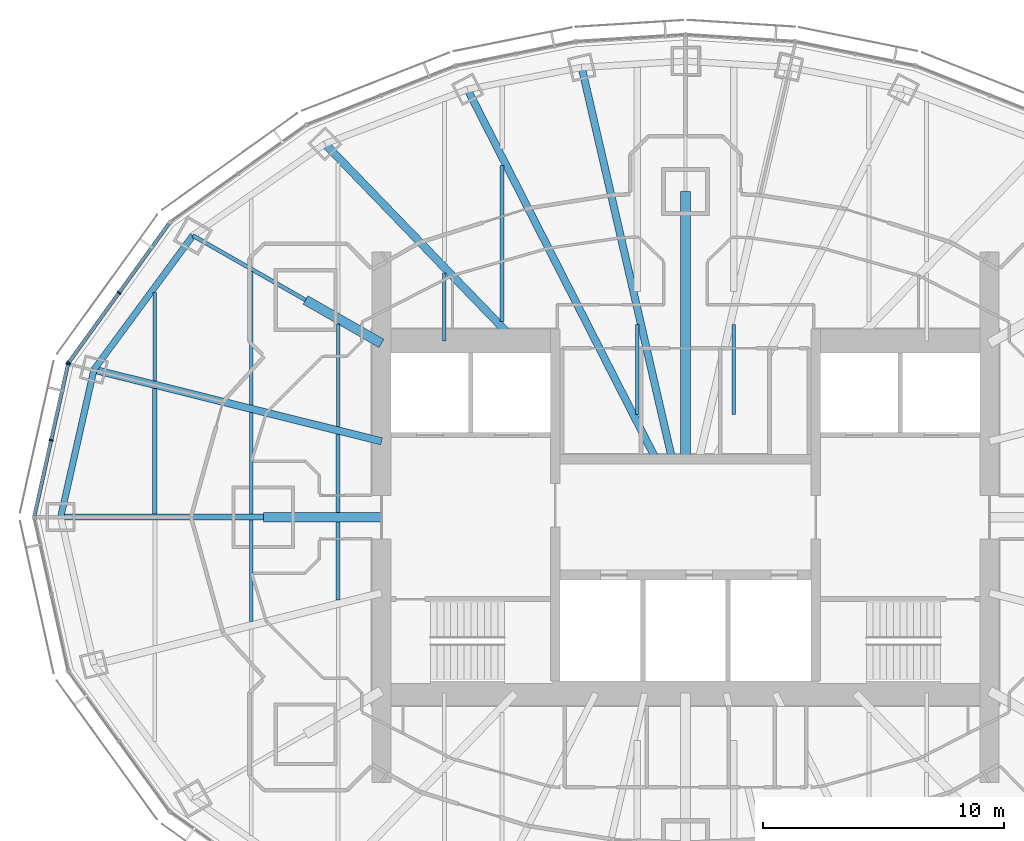
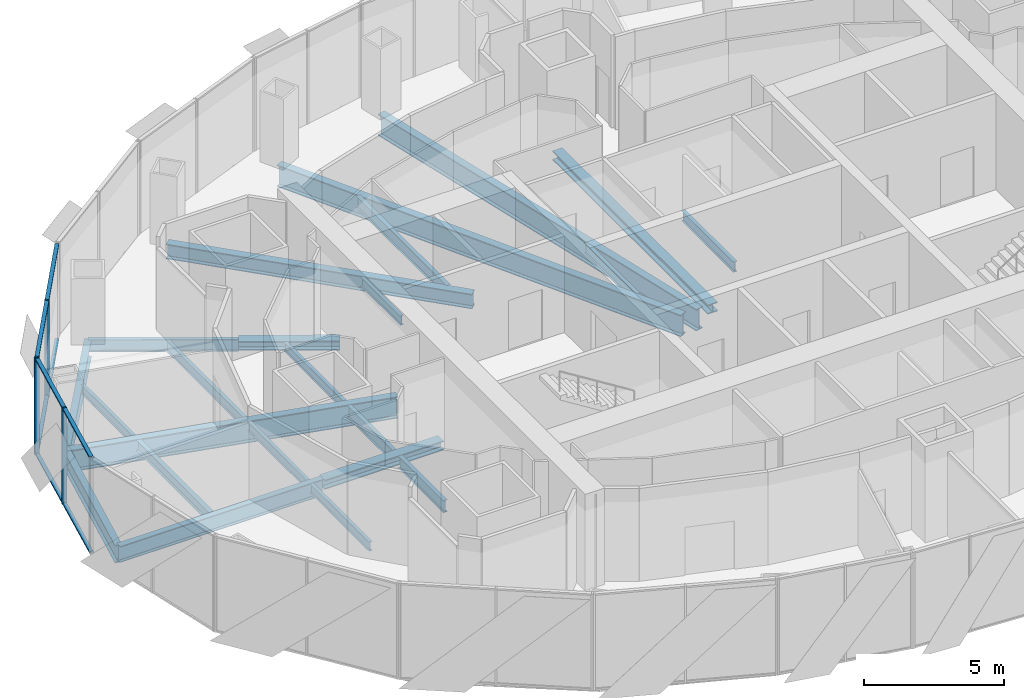
# One storey, part 4 of 18: 23 beams, 12 members, 2 elements without a shape of their own.
"""IFC4 building model written with IfcOpenShell, lengths in metres."""

import ifcopenshell
import ifcopenshell.guid

model = None  # the IFC model being written
_history = None  # IfcOwnerHistory: only IFC2X3 demands one
_inside = {}  # id of a spatial element -> (the spatial element, [elements in it])
_under = {}  # id of a project, library or spatial element -> (it, [spatial elements below it])
_declared = {}  # id of a project -> (the project, [libraries it declares])
_typed = {}  # id of a type object -> (the type object, [elements of that type])
_made_of = {}  # id of a material, layer set ... -> (it, [elements and type objects made of it])


def new_model(schema):
    """Start an empty IFC model of exactly this schema.

    Asked for "IFC4X3", IfcOpenShell would pick the latest addendum, in which some entities
    have other attributes; the version numbers below select the first issue.
    IFC2X3 requires an IfcOwnerHistory on every rooted entity: one is made here for all.
    """
    global model, _history
    if schema == "IFC4X3":
        model = ifcopenshell.file(schema_version=(4, 3, 0, 0))
    else:
        model = ifcopenshell.file(schema=schema)
    _inside.clear()
    _under.clear()
    _declared.clear()
    _typed.clear()
    _made_of.clear()
    _history = None
    if model.schema == "IFC2X3":
        org = make("IfcOrganization", Name="unknown")
        user = make(
            "IfcPersonAndOrganization",
            ThePerson=make("IfcPerson", FamilyName="unknown"),
            TheOrganization=org,
        )
        app = make(
            "IfcApplication",
            ApplicationDeveloper=org,
            Version="unknown",
            ApplicationFullName="unknown",
            ApplicationIdentifier="unknown",
        )
        _history = make(
            "IfcOwnerHistory",
            OwningUser=user,
            OwningApplication=app,
            ChangeAction="ADDED",
            CreationDate=0,
        )
    return model


def make(cls, **values):
    """One entity of the class cls with the attributes given. An attribute that is None is left unset."""
    return model.create_entity(
        cls, **{name: value for name, value in values.items() if value is not None}
    )


def rooted(cls, **values):
    """An entity with a GlobalId (a new one), such as an element, a storey or a relation."""
    return make(cls, GlobalId=ifcopenshell.guid.new(), OwnerHistory=_history, **values)


def si_unit(unit_type, name, prefix=None):
    """IfcSIUnit, for example si_unit("LENGTHUNIT", "METRE", prefix="MILLI")."""
    return make("IfcSIUnit", UnitType=unit_type, Prefix=prefix, Name=name)


def assignment(units):
    """IfcUnitAssignment: the units of a project."""
    return None if units is None else make("IfcUnitAssignment", Units=units)


def point(xyz):
    """IfcCartesianPoint."""
    return None if xyz is None else make("IfcCartesianPoint", Coordinates=xyz)


def direction(xyz):
    """IfcDirection."""
    return None if xyz is None else make("IfcDirection", DirectionRatios=xyz)


def frame(location, z_axis=None, x_axis=None):
    """IfcAxis2Placement3D, a coordinate frame: its origin and axes. An axis left out is left unset."""
    return make(
        "IfcAxis2Placement3D",
        Location=point(location),
        Axis=direction(z_axis),
        RefDirection=direction(x_axis),
    )


def frame_2d(location, x_axis=None):
    """IfcAxis2Placement2D, a coordinate frame in the plane: its origin and x axis."""
    return make(
        "IfcAxis2Placement2D", Location=point(location), RefDirection=direction(x_axis)
    )


def origin():
    """The frame at (0, 0, 0) with its axes left unset."""
    return frame((0.0, 0.0, 0.0))


def origin_2d():
    """The frame at (0, 0) in the plane with its x axis left unset."""
    return frame_2d((0.0, 0.0))


def place(relative_to, where):
    """IfcLocalPlacement: puts the frame where relative to a parent placement (None: the world)."""
    return make(
        "IfcLocalPlacement", PlacementRelTo=relative_to, RelativePlacement=where
    )


def context(
    kind, dimensions, precision=None, world=None, true_north=None, identifier=None
):
    """IfcGeometricRepresentationContext, for example the 3D "Model" context."""
    return make(
        "IfcGeometricRepresentationContext",
        ContextIdentifier=identifier,
        ContextType=kind,
        CoordinateSpaceDimension=dimensions,
        Precision=precision,
        WorldCoordinateSystem=world,
        TrueNorth=true_north,
    )


def subcontext(parent, identifier, kind, view, scale=None):
    """IfcGeometricRepresentationSubContext, for example "Body" below "Model"."""
    return make(
        "IfcGeometricRepresentationSubContext",
        ContextIdentifier=identifier,
        ContextType=kind,
        ParentContext=parent,
        TargetScale=scale,
        TargetView=view,
    )


def project(units=None, contexts=None):
    """IfcProject with its units and contexts."""
    return rooted(
        "IfcProject",
        Name="project",
        RepresentationContexts=contexts,
        UnitsInContext=assignment(units),
    )


def spatial(cls, under=None, at=None, **own):
    """A site, building, storey or space (cls), placed at a placement, below another one or the project."""
    s = rooted(cls, ObjectPlacement=at, **own)
    if under is not None:
        _under.setdefault(under.id(), (under, []))[1].append(s)
    return s


def profile(cls, at=None, kind="AREA", **sizes):
    """A parametric profile (cls). Its sizes go by their IFC names, for example OverallWidth=200.0."""
    return make(cls, ProfileType=kind, Position=at, **sizes)


def rectangle(**sizes):
    """IfcRectangleProfileDef."""
    return profile("IfcRectangleProfileDef", **sizes)


def i_section(**sizes):
    """IfcIShapeProfileDef."""
    return profile("IfcIShapeProfileDef", **sizes)


def extrude(swept, where, along, depth):
    """IfcExtrudedAreaSolid: the profile swept, set in the frame where, extruded along a direction by depth."""
    return make(
        "IfcExtrudedAreaSolid",
        SweptArea=swept,
        Position=where,
        ExtrudedDirection=direction(along),
        Depth=depth,
    )


def shape(context_of_items, identifier, shape_type, items):
    """IfcShapeRepresentation: the items that make up one representation, for example the "Body"."""
    return make(
        "IfcShapeRepresentation",
        ContextOfItems=context_of_items,
        RepresentationIdentifier=identifier,
        RepresentationType=shape_type,
        Items=items,
    )


def material(Name=None, Category=None):
    """IfcMaterial."""
    return make("IfcMaterial", Name=Name, Category=Category)


def material_profile(
    of_material, cross_section, Name=None, Category=None, Priority=None
):
    """IfcMaterialProfile: a cross section and its material."""
    return make(
        "IfcMaterialProfile",
        Name=Name,
        Material=of_material,
        Profile=cross_section,
        Priority=Priority,
        Category=Category,
    )


def profile_set(profiles, Name=None, composite=None):
    """IfcMaterialProfileSet."""
    return make(
        "IfcMaterialProfileSet",
        Name=Name,
        MaterialProfiles=profiles,
        CompositeProfile=composite,
    )


def made_of(thing, what):
    """Note that an element or type object is made of a material, layer set ...; save() writes the relation."""
    if what is not None:
        _made_of.setdefault(what.id(), (what, []))[1].append(thing)
    return thing


def type_object(cls, material=None, **own):
    """A type object (cls), such as IfcWallType, which elements share."""
    return made_of(rooted(cls, **own), material)


def element(
    cls,
    number,
    at=None,
    inside=None,
    cuts=None,
    type_object=None,
    material=None,
    context=None,
    identifier="Body",
    shape_type=None,
    held_by="IfcProductDefinitionShape",
    body=None,
    shapes=None,
    **own,
):
    """One element of the class cls, such as IfcWall. Its Tag is "e" and its number.

    at: its placement. inside: the storey or other place that contains it. cuts: it is an
    opening in that element (IfcRelVoidsElement). A single representation is given by context,
    identifier, shape_type and body (its items); several are given by shapes. held_by: the class
    of the entity that holds the representations. save() writes the other relations.
    """
    e = rooted(cls, Tag="e%d" % number, ObjectPlacement=at, **own)
    if body is not None:
        shapes = [shape(context, identifier, shape_type, body)]
    if shapes is not None:
        e.Representation = make(held_by, Representations=shapes)
    if inside is not None:
        _inside.setdefault(inside.id(), (inside, []))[1].append(e)
    if cuts is not None:
        rooted(
            "IfcRelVoidsElement", RelatingBuildingElement=cuts, RelatedOpeningElement=e
        )
    if type_object is not None:
        _typed.setdefault(type_object.id(), (type_object, []))[1].append(e)
    return made_of(e, material)


def aggregate(whole, parts):
    """IfcRelAggregates: a whole, such as a stair, and the parts it consists of."""
    return rooted("IfcRelAggregates", RelatingObject=whole, RelatedObjects=parts)


def save(model, path):
    """Write the relations noted so far, then the file.

    IfcRelAggregates (storeys below a building ...), IfcRelContainedInSpatialStructure (elements
    in a storey), IfcRelDefinesByType, IfcRelAssociatesMaterial and IfcRelDeclares: one each for
    every whole, place, type object, material and project.
    """
    for whole, parts in _under.values():
        aggregate(whole, parts)
    for where, things in _inside.values():
        rooted(
            "IfcRelContainedInSpatialStructure",
            RelatedElements=things,
            RelatingStructure=where,
        )
    for kind, things in _typed.values():
        rooted("IfcRelDefinesByType", RelatedObjects=things, RelatingType=kind)
    for what, things in _made_of.values():
        rooted("IfcRelAssociatesMaterial", RelatedObjects=things, RelatingMaterial=what)
    for by, libraries in _declared.values():
        rooted("IfcRelDeclares", RelatingContext=by, RelatedDefinitions=libraries)
    model.write(path)


model = new_model("IFC4")

# Units and contexts
model_context = context("Model", 3, precision=1e-05, world=origin(), true_north=direction((0.0, 1.0)))
body_context = subcontext(model_context, "Body", "Model", "MODEL_VIEW")
ifc_project = project(units=[si_unit("LENGTHUNIT", "METRE"), si_unit("AREAUNIT", "SQUARE_METRE"), si_unit("VOLUMEUNIT", "CUBIC_METRE"), si_unit("PLANEANGLEUNIT", "RADIAN"), si_unit("MASSUNIT", "GRAM", prefix="KILO")], contexts=[model_context])

# Site, building, storey
site_placement = place(None, origin())
site = spatial("IfcSite", under=ifc_project, at=site_placement, CompositionType="ELEMENT")
building_placement = place(site_placement, origin())
building = spatial("IfcBuilding", under=site, at=building_placement, Name="Lantaw Convention Tower", CompositionType="ELEMENT")
storey_placement = place(building_placement, frame((0.0, 0.0, 262.0)))
storey = spatial("IfcBuildingStorey", under=building, at=storey_placement, Name="L61", CompositionType="ELEMENT", Elevation=262.0)

# Beams
ifc_material_1 = material(Name="Steel ASTM A992", Category="steel")
ifc_material_profile_1 = material_profile(ifc_material_1, i_section(OverallWidth=0.2666015625, OverallDepth=0.76953125, WebThickness=0.015625, FlangeThickness=0.025390625, FilletRadius=0.0126953125, at=origin_2d()), Name="W30X132")
ifc_profile_set_1 = profile_set([ifc_material_profile_1], Name="Steel ASTM A992")
beam_type_1 = type_object("IfcBeamType", Name="Beam E W30X132", PredefinedType="SPANDREL", material=ifc_profile_set_1)
beam_1_placement = place(storey_placement, frame((-20.423095703125, 11.67041015625, -0.534912109375), z_axis=(-0.593639188853, -0.804731329984, 0.0), x_axis=(0.804731329984, -0.593639188853, 0.0)))
element("IfcBeam", 1, at=beam_1_placement, inside=storey, type_object=beam_type_1, Name="Edge beam 11", PredefinedType="SPANDREL", context=body_context, shape_type="SweptSolid", body=[
    extrude(i_section(OverallWidth=0.2666015625, OverallDepth=0.76953125, WebThickness=0.015625, FlangeThickness=0.025390625, FilletRadius=0.0126953125, at=origin_2d()), origin(), (0.0, 0.0, 1.0), 6.904541015625),
])
beam_2_placement = place(storey_placement, frame((-24.52197265625, 6.114013671875, -0.534912109375), z_axis=(-0.219857926596, -0.97553190215, 0.0), x_axis=(0.97553190215, -0.219857926596, 0.0)))
element("IfcBeam", 2, at=beam_2_placement, inside=storey, type_object=beam_type_1, Name="Edge beam 12", PredefinedType="SPANDREL", context=body_context, shape_type="SweptSolid", body=[
    extrude(i_section(OverallWidth=0.2666015625, OverallDepth=0.76953125, WebThickness=0.015625, FlangeThickness=0.025390625, FilletRadius=0.0126953125, at=origin_2d()), origin(), (0.0, 0.0, 1.0), 6.267333984375),
])
ifc_material_profile_2 = material_profile(ifc_material_1, i_section(OverallWidth=0.1650390625, OverallDepth=0.52587890625, WebThickness=0.0087890625, FlangeThickness=0.011474609375, FilletRadius=0.0126953125, at=origin_2d()), Name="W21X44")
ifc_profile_set_2 = profile_set([ifc_material_profile_2], Name="Steel ASTM A992")
beam_type_2 = type_object("IfcBeamType", Name="Beam G W21X44", PredefinedType="BEAM", material=ifc_profile_set_2)
beam_3_placement = place(storey_placement, frame((-15.75, 9.0, -0.412841796875), z_axis=(-0.868237559289, 0.496148708192, 0.0), x_axis=(-0.496148708192, -0.868237559289, 0.0)))
element("IfcBeam", 3, at=beam_3_placement, inside=storey, type_object=beam_type_2, Name="Floor girder on ray 11", PredefinedType="BEAM", context=body_context, shape_type="SweptSolid", body=[
    extrude(i_section(OverallWidth=0.1650390625, OverallDepth=0.52587890625, WebThickness=0.0087890625, FlangeThickness=0.011474609375, FilletRadius=0.0126953125, at=origin_2d()), origin(), (0.0, 0.0, 1.0), 5.38232421875),
])
ifc_material_profile_3 = material_profile(ifc_material_1, i_section(OverallWidth=0.32763671875, OverallDepth=0.64013671875, WebThickness=0.01904296875, FlangeThickness=0.033935546875, FilletRadius=0.0126953125, at=origin_2d()), Name="W24X176")
ifc_profile_set_3 = profile_set([ifc_material_profile_3], Name="Steel ASTM A992")
beam_type_3 = type_object("IfcBeamType", Name="Beam G W24X176", PredefinedType="BEAM", material=ifc_profile_set_3)
beam_4_placement = place(storey_placement, frame((-7.049560546875, 7.300048828125, -0.469970703125), z_axis=(-0.694657766726, 0.719340383356, 0.0), x_axis=(-0.719340383356, -0.694657766726, 0.0)))
element("IfcBeam", 4, at=beam_4_placement, inside=storey, type_object=beam_type_3, Name="Floor girder on ray 10", PredefinedType="BEAM", context=body_context, shape_type="SweptSolid", body=[
    extrude(i_section(OverallWidth=0.32763671875, OverallDepth=0.64013671875, WebThickness=0.01904296875, FlangeThickness=0.033935546875, FilletRadius=0.0126953125, at=origin_2d()), origin(), (0.0, 0.0, 1.0), 11.364990234375),
])
ifc_material_profile_4 = material_profile(ifc_material_1, i_section(OverallWidth=0.25390625, OverallDepth=0.700927734375, WebThickness=0.015380859375, FlangeThickness=0.02783203125, FilletRadius=0.01513671875, at=origin_2d()), Name="W27X129")
ifc_profile_set_4 = profile_set([ifc_material_profile_4], Name="Steel ASTM A992")
beam_type_4 = type_object("IfcBeamType", Name="Beam G W27X129", PredefinedType="BEAM", material=ifc_profile_set_4)
beam_5_placement = place(storey_placement, frame((-17.5, 0.0, -0.50048828125), z_axis=(-1.0, 0.0, 0.0), x_axis=(0.0, -1.0, 0.0)))
element("IfcBeam", 5, at=beam_5_placement, inside=storey, type_object=beam_type_4, Name="Floor girder on ray 13", PredefinedType="BEAM", context=body_context, shape_type="SweptSolid", body=[
    extrude(i_section(OverallWidth=0.25390625, OverallDepth=0.700927734375, WebThickness=0.015380859375, FlangeThickness=0.02783203125, FilletRadius=0.01513671875, at=origin_2d()), origin(), (0.0, 0.0, 1.0), 8.39990234375),
])
ifc_material_profile_5 = material_profile(ifc_material_1, i_section(OverallWidth=0.307373046875, OverallDepth=0.9423828125, WebThickness=0.022216796875, FlangeThickness=0.039794921875, FilletRadius=0.0126953125, at=origin_2d()), Name="W36X232")
ifc_profile_set_5 = profile_set([ifc_material_profile_5], Name="Steel ASTM A992")
beam_type_5 = type_object("IfcBeamType", Name="Beam G W36X232", PredefinedType="BEAM", material=ifc_profile_set_5)
beam_6_placement = place(storey_placement, frame((-0.55419921875, 2.39990234375, -0.62109375), z_axis=(-0.224948287002, 0.974370703672, 0.0), x_axis=(-0.974370703672, -0.224948287002, 0.0)))
element("IfcBeam", 6, at=beam_6_placement, inside=storey, type_object=beam_type_5, Name="Floor girder on ray 8", PredefinedType="BEAM", context=body_context, shape_type="SweptSolid", body=[
    extrude(i_section(OverallWidth=0.307373046875, OverallDepth=0.9423828125, WebThickness=0.022216796875, FlangeThickness=0.039794921875, FilletRadius=0.0126953125, at=origin_2d()), origin(), (0.0, 0.0, 1.0), 16.66943359375),
])
beam_7_placement = place(storey_placement, frame((-1.222900390625, 2.39990234375, -0.62109375), z_axis=(-0.453988481463, 0.891007552549, 0.0), x_axis=(-0.891007552549, -0.453988481463, 0.0)))
element("IfcBeam", 7, at=beam_7_placement, inside=storey, type_object=beam_type_5, Name="Floor girder on ray 9", PredefinedType="BEAM", context=body_context, shape_type="SweptSolid", body=[
    extrude(i_section(OverallWidth=0.307373046875, OverallDepth=0.9423828125, WebThickness=0.022216796875, FlangeThickness=0.039794921875, FilletRadius=0.0126953125, at=origin_2d()), origin(), (0.0, 0.0, 1.0), 17.20703125),
])
beam_8_placement = place(storey_placement, frame((-12.60009765625, 3.1416015625, -0.62109375), z_axis=(-0.970296589314, 0.241918434119, 0.0), x_axis=(-0.241918434119, -0.970296589314, 0.0)))
element("IfcBeam", 8, at=beam_8_placement, inside=storey, type_object=beam_type_5, Name="Floor girder on ray 12", PredefinedType="BEAM", context=body_context, shape_type="SweptSolid", body=[
    extrude(i_section(OverallWidth=0.307373046875, OverallDepth=0.9423828125, WebThickness=0.022216796875, FlangeThickness=0.039794921875, FilletRadius=0.0126953125, at=origin_2d()), origin(), (0.0, 0.0, 1.0), 12.286865234375),
])
ifc_material_profile_6 = material_profile(ifc_material_1, i_section(OverallWidth=0.40380859375, OverallDepth=0.406494140625, WebThickness=0.027099609375, FlangeThickness=0.043701171875, FilletRadius=0.01513671875, at=origin_2d()), Name="W14X233")
ifc_profile_set_6 = profile_set([ifc_material_profile_6], Name="Steel ASTM A992")
beam_type_6 = type_object("IfcBeamType", Name="Beam GM W14X233", PredefinedType="BEAM", material=ifc_profile_set_6)
beam_9_placement = place(storey_placement, frame((0.0, 2.39990234375, -0.353271484375), z_axis=(0.0, 1.0, 0.0), x_axis=(-1.0, 0.0, 0.0)))
element("IfcBeam", 9, at=beam_9_placement, inside=storey, type_object=beam_type_6, Name="Core link beam on ray 7", PredefinedType="BEAM", context=body_context, shape_type="SweptSolid", body=[
    extrude(i_section(OverallWidth=0.40380859375, OverallDepth=0.406494140625, WebThickness=0.027099609375, FlangeThickness=0.043701171875, FilletRadius=0.01513671875, at=origin_2d()), origin(), (0.0, 0.0, 1.0), 11.10009765625),
])
beam_10_placement = place(storey_placement, frame((-12.60009765625, 7.199951171875, -0.353271484375), z_axis=(-0.868230718294, 0.496160679428, 0.0), x_axis=(-0.496160679428, -0.868230718294, 0.0)))
element("IfcBeam", 10, at=beam_10_placement, inside=storey, type_object=beam_type_6, Name="Core link beam on ray 11", PredefinedType="BEAM", context=body_context, shape_type="SweptSolid", body=[
    extrude(i_section(OverallWidth=0.40380859375, OverallDepth=0.406494140625, WebThickness=0.027099609375, FlangeThickness=0.043701171875, FilletRadius=0.01513671875, at=origin_2d()), origin(), (0.0, 0.0, 1.0), 3.6279296875),
])
beam_11_placement = place(storey_placement, frame((-12.60009765625, 0.0, -0.353271484375), z_axis=(-1.0, 0.0, 0.0), x_axis=(0.0, -1.0, 0.0)))
element("IfcBeam", 11, at=beam_11_placement, inside=storey, type_object=beam_type_6, Name="Core link beam on ray 13", PredefinedType="BEAM", context=body_context, shape_type="SweptSolid", body=[
    extrude(i_section(OverallWidth=0.40380859375, OverallDepth=0.406494140625, WebThickness=0.027099609375, FlangeThickness=0.043701171875, FilletRadius=0.01513671875, at=origin_2d()), origin(), (0.0, 0.0, 1.0), 4.89990234375),
])
ifc_material_profile_7 = material_profile(ifc_material_1, i_section(OverallWidth=0.140380859375, OverallDepth=0.40380859375, WebThickness=0.007080078125, FlangeThickness=0.01123046875, FilletRadius=0.01025390625, at=origin_2d()), Name="W16X31")
ifc_profile_set_7 = profile_set([ifc_material_profile_7], Name="Steel ASTM A992")
beam_type_7 = type_object("IfcBeamType", Name="Beam J W16X31", PredefinedType="JOIST", material=ifc_profile_set_7)
beam_12_placement = place(storey_placement, frame((-22.0, 5.6435546875, -0.35205078125), z_axis=(0.0, 1.0, 0.0), x_axis=(-1.0, 0.0, 0.0)))
element("IfcBeam", 12, at=beam_12_placement, inside=storey, type_object=beam_type_7, Name="Floor joist", PredefinedType="JOIST", context=body_context, shape_type="SweptSolid", body=[
    extrude(i_section(OverallWidth=0.140380859375, OverallDepth=0.40380859375, WebThickness=0.007080078125, FlangeThickness=0.01123046875, FilletRadius=0.01025390625, at=origin_2d()), origin(), (0.0, 0.0, 1.0), 3.66455078125),
])
for number, where, z_axis, x_axis, name in (
    (13, (-18.0, -4.32958984375, -0.35205078125), (0.0, 1.0, 0.0), (-1.0, 0.0, 0.0), "Floor joist"),
    (14, (-18.0, 0.126953125, -0.35205078125), (0.0, 1.0, 0.0), (-1.0, 0.0, 0.0), "Floor joist"),
):
    element("IfcBeam", number, at=place(storey_placement, frame(where, z_axis=z_axis, x_axis=x_axis)), inside=storey, type_object=beam_type_7, Name=name, PredefinedType="JOIST", context=body_context, shape_type="SweptSolid", body=[
        extrude(i_section(OverallWidth=0.140380859375, OverallDepth=0.40380859375, WebThickness=0.007080078125, FlangeThickness=0.01123046875, FilletRadius=0.01025390625, at=origin_2d()), origin(), (0.0, 0.0, 1.0), 4.20263671875),
    ])
beam_13_placement = place(storey_placement, frame((-14.39990234375, 3.748779296875, -0.35205078125), z_axis=(0.0, 1.0, 0.0), x_axis=(-1.0, 0.0, 0.0)))
element("IfcBeam", 15, at=beam_13_placement, inside=storey, type_object=beam_type_7, Name="Floor joist", PredefinedType="JOIST", context=body_context, shape_type="SweptSolid", body=[
    extrude(i_section(OverallWidth=0.140380859375, OverallDepth=0.40380859375, WebThickness=0.007080078125, FlangeThickness=0.01123046875, FilletRadius=0.01025390625, at=origin_2d()), origin(), (0.0, 0.0, 1.0), 4.247314453125),
])
beam_14_placement = place(storey_placement, frame((-10.0, 7.300048828125, -0.35205078125), z_axis=(0.0, 1.0, 0.0), x_axis=(-1.0, 0.0, 0.0)))
element("IfcBeam", 16, at=beam_14_placement, inside=storey, type_object=beam_type_7, Name="Floor joist", PredefinedType="JOIST", context=body_context, shape_type="SweptSolid", body=[
    extrude(i_section(OverallWidth=0.140380859375, OverallDepth=0.40380859375, WebThickness=0.007080078125, FlangeThickness=0.01123046875, FilletRadius=0.01025390625, at=origin_2d()), origin(), (0.0, 0.0, 1.0), 2.8193359375),
])
ifc_material_profile_8 = material_profile(ifc_material_1, i_section(OverallWidth=0.15234375, OverallDepth=0.449462890625, WebThickness=0.007568359375, FlangeThickness=0.0107421875, FilletRadius=0.01025390625, at=origin_2d()), Name="W18X35")
ifc_profile_set_8 = profile_set([ifc_material_profile_8], Name="Steel ASTM A992")
beam_type_8 = type_object("IfcBeamType", Name="Beam J W18X35", PredefinedType="JOIST", material=ifc_profile_set_8)
beam_15_placement = place(storey_placement, frame((-18.0, 4.646240234375, -0.374755859375), z_axis=(0.0, 1.0, 0.0), x_axis=(-1.0, 0.0, 0.0)))
element("IfcBeam", 17, at=beam_15_placement, inside=storey, type_object=beam_type_8, Name="Floor joist", PredefinedType="JOIST", context=body_context, shape_type="SweptSolid", body=[
    extrude(i_section(OverallWidth=0.15234375, OverallDepth=0.449462890625, WebThickness=0.007568359375, FlangeThickness=0.0107421875, FilletRadius=0.01025390625, at=origin_2d()), origin(), (0.0, 0.0, 1.0), 5.54443359375),
])
for number, where, z_axis, x_axis, name in (
    (18, (-2.0, 4.263671875, -0.374755859375), (0.0, 1.0, 0.0), (-1.0, 0.0, 0.0), "Floor joist"),
    (19, (2.0, 4.263671875, -0.374755859375), (0.0, 1.0, 0.0), (-1.0, 0.0, 0.0), "Floor joist"),
):
    element("IfcBeam", number, at=place(storey_placement, frame(where, z_axis=z_axis, x_axis=x_axis)), inside=storey, type_object=beam_type_8, Name=name, PredefinedType="JOIST", context=body_context, shape_type="SweptSolid", body=[
        extrude(i_section(OverallWidth=0.15234375, OverallDepth=0.449462890625, WebThickness=0.007568359375, FlangeThickness=0.0107421875, FilletRadius=0.01025390625, at=origin_2d()), origin(), (0.0, 0.0, 1.0), 3.716064453125),
    ])
ifc_material_profile_9 = material_profile(ifc_material_1, i_section(OverallWidth=0.1904296875, OverallDepth=0.457275390625, WebThickness=0.009033203125, FlangeThickness=0.014404296875, FilletRadius=0.01025390625, at=origin_2d()), Name="W18X50")
ifc_profile_set_9 = profile_set([ifc_material_profile_9], Name="Steel ASTM A992")
beam_type_9 = type_object("IfcBeamType", Name="Beam J W18X50", PredefinedType="JOIST", material=ifc_profile_set_9)
beam_16_placement = place(storey_placement, frame((-22.0, 0.126953125, -0.378662109375), z_axis=(0.0, 1.0, 0.0), x_axis=(-1.0, 0.0, 0.0)))
element("IfcBeam", 20, at=beam_16_placement, inside=storey, type_object=beam_type_9, Name="Floor joist", PredefinedType="JOIST", context=body_context, shape_type="SweptSolid", body=[
    extrude(i_section(OverallWidth=0.1904296875, OverallDepth=0.457275390625, WebThickness=0.009033203125, FlangeThickness=0.014404296875, FilletRadius=0.01025390625, at=origin_2d()), origin(), (0.0, 0.0, 1.0), 5.199951171875),
])
ifc_material_profile_10 = material_profile(ifc_material_1, i_section(OverallWidth=0.1650390625, OverallDepth=0.52587890625, WebThickness=0.0087890625, FlangeThickness=0.011474609375, FilletRadius=0.0126953125, at=origin_2d()), Name="W21X44")
ifc_profile_set_10 = profile_set([ifc_material_profile_10], Name="Steel ASTM A992")
beam_type_10 = type_object("IfcBeamType", Name="Beam J W21X44", PredefinedType="JOIST", material=ifc_profile_set_10)
for number, where, z_axis, x_axis, name in (
    (21, (-14.39990234375, -3.431884765625, -0.412841796875), (0.0, 1.0, 0.0), (-1.0, 0.0, 0.0), "Floor joist"),
    (22, (-14.39990234375, 0.201904296875, -0.412841796875), (0.0, 1.0, 0.0), (-1.0, 0.0, 0.0), "Floor joist"),
):
    element("IfcBeam", number, at=place(storey_placement, frame(where, z_axis=z_axis, x_axis=x_axis)), inside=storey, type_object=beam_type_10, Name=name, PredefinedType="JOIST", context=body_context, shape_type="SweptSolid", body=[
        extrude(i_section(OverallWidth=0.1650390625, OverallDepth=0.52587890625, WebThickness=0.0087890625, FlangeThickness=0.011474609375, FilletRadius=0.0126953125, at=origin_2d()), origin(), (0.0, 0.0, 1.0), 3.22998046875),
    ])
beam_17_placement = place(storey_placement, frame((-7.60009765625, 8.10595703125, -0.412841796875), z_axis=(0.0, 1.0, 0.0), x_axis=(-1.0, 0.0, 0.0)))
element("IfcBeam", 23, at=beam_17_placement, inside=storey, type_object=beam_type_10, Name="Floor joist", PredefinedType="JOIST", context=body_context, shape_type="SweptSolid", body=[
    extrude(i_section(OverallWidth=0.1650390625, OverallDepth=0.52587890625, WebThickness=0.0087890625, FlangeThickness=0.011474609375, FilletRadius=0.0126953125, at=origin_2d()), origin(), (0.0, 0.0, 1.0), 6.471435546875),
])

# Curtain wall, members
ifc_material_2 = material(Name="Aluminium framed curtain wall", Category="aluminium")
curtain_wall_type = type_object("IfcCurtainWallType", Name="Office curtain wall high rise, pale aluminium", PredefinedType="USERDEFINED", material=ifc_material_2)
curtain_wall_1_placement = place(storey_placement, origin())
curtain_wall_1 = element("IfcCurtainWall", 24, at=curtain_wall_1_placement, inside=storey, type_object=curtain_wall_type, Name="Office curtain wall high rise, pale aluminium L61", ObjectType="UNITISED CURTAIN WALL", PredefinedType="USERDEFINED")
ifc_material_3 = material(Name="Aluminium 6063-T6", Category="aluminium")
ifc_material_profile_11 = material_profile(ifc_material_3, rectangle(XDim=0.179931640625, YDim=0.06494140625, at=origin_2d()), Name="CW-O2 mullion 65x180")
ifc_profile_set_11 = profile_set([ifc_material_profile_11], Name="Aluminium 6063-T6")
member_type_1 = type_object("IfcMemberType", Name="CW-O2 mullion 65x180", PredefinedType="MULLION", material=ifc_profile_set_11)
member_1_placement = place(storey_placement, frame((-23.483642578125, 9.298095703125, -0.14990234375), z_axis=(0.0, 0.0, 1.0), x_axis=(0.810919559405, -0.585157643865, 0.0)))
member_1 = element("IfcMember", 25, at=member_1_placement, type_object=member_type_1, Name="CW-O2 mullion 2", PredefinedType="MULLION", context=body_context, shape_type="SweptSolid", body=[
    extrude(rectangle(XDim=0.179931640625, YDim=0.06494140625, at=origin_2d()), origin(), (0.0, 0.0, 1.0), 4.199951171875),
])
member_2_placement = place(storey_placement, frame((-25.5703125, 6.406494140625, -0.14990234375), z_axis=(0.0, 0.0, 1.0), x_axis=(0.810919559405, -0.585157643865, 0.0)))
member_2 = element("IfcMember", 26, at=member_2_placement, type_object=member_type_1, Name="CW-O2 mullion 3", PredefinedType="MULLION", context=body_context, shape_type="SweptSolid", body=[
    extrude(rectangle(XDim=0.179931640625, YDim=0.06494140625, at=origin_2d()), origin(), (0.0, 0.0, 1.0), 4.199951171875),
])

curtain_wall_2_placement = place(storey_placement, origin())
curtain_wall_2 = element("IfcCurtainWall", 27, at=curtain_wall_2_placement, inside=storey, type_object=curtain_wall_type, Name="Office curtain wall high rise, pale aluminium L61", ObjectType="UNITISED CURTAIN WALL", PredefinedType="USERDEFINED")
member_3_placement = place(storey_placement, frame((-25.596435546875, 6.348388671875, -0.14990234375), z_axis=(0.0, 0.0, 1.0), x_axis=(0.976417396437, -0.215891333626, 0.0)))
member_3 = element("IfcMember", 28, at=member_3_placement, type_object=member_type_1, Name="CW-O2 mullion 1", PredefinedType="MULLION", context=body_context, shape_type="SweptSolid", body=[
    extrude(rectangle(XDim=0.179931640625, YDim=0.06494140625, at=origin_2d()), origin(), (0.0, 0.0, 1.0), 4.199951171875),
])
member_4_placement = place(storey_placement, frame((-26.294677734375, 3.190185546875, -0.14990234375), z_axis=(0.0, 0.0, 1.0), x_axis=(0.976417396437, -0.215891333626, 0.0)))
member_4 = element("IfcMember", 29, at=member_4_placement, type_object=member_type_1, Name="CW-O2 mullion 2", PredefinedType="MULLION", context=body_context, shape_type="SweptSolid", body=[
    extrude(rectangle(XDim=0.179931640625, YDim=0.06494140625, at=origin_2d()), origin(), (0.0, 0.0, 1.0), 4.199951171875),
])

# Member
ifc_material_profile_12 = material_profile(ifc_material_3, rectangle(XDim=0.14990234375, YDim=0.06494140625, at=origin_2d()), Name="CW-O2 transom 65x150")
ifc_profile_set_12 = profile_set([ifc_material_profile_12], Name="Aluminium 6063-T6")
member_type_2 = type_object("IfcMemberType", Name="CW-O2 transom 65x150", PredefinedType="USERDEFINED", material=ifc_profile_set_12)
member_5_placement = place(storey_placement, frame((-21.416259765625, 12.163330078125, -0.117431640625), z_axis=(-0.585123825205, -0.810943961798, 0.0), x_axis=(0.810943961798, -0.585123825205, 0.0)))
member_5 = element("IfcMember", 30, at=member_5_placement, type_object=member_type_2, Name="CW-O2 transom 1.1", ObjectType="TRANSOM", PredefinedType="USERDEFINED", context=body_context, shape_type="SweptSolid", body=[
    extrude(rectangle(XDim=0.14990234375, YDim=0.06494140625, at=origin_2d()), origin(), (0.0, 0.0, 1.0), 3.500732421875),
])

member_6_placement = place(storey_placement, frame((-21.416259765625, 12.163330078125, 4.017578125), z_axis=(-0.585123825205, -0.810943961798, 0.0), x_axis=(0.810943961798, -0.585123825205, 0.0)))
member_6 = element("IfcMember", 31, at=member_6_placement, type_object=member_type_2, Name="CW-O2 transom 1.2", ObjectType="TRANSOM", PredefinedType="USERDEFINED", context=body_context, shape_type="SweptSolid", body=[
    extrude(rectangle(XDim=0.14990234375, YDim=0.06494140625, at=origin_2d()), origin(), (0.0, 0.0, 1.0), 3.500732421875),
])

member_7_placement = place(storey_placement, frame((-23.502685546875, 9.271728515625, -0.117431640625), z_axis=(-0.585169685931, -0.810910869743, 0.0), x_axis=(0.810910869743, -0.585169685931, 0.0)))
member_7 = element("IfcMember", 32, at=member_7_placement, type_object=member_type_2, Name="CW-O2 transom 2.1", ObjectType="TRANSOM", PredefinedType="USERDEFINED", context=body_context, shape_type="SweptSolid", body=[
    extrude(rectangle(XDim=0.14990234375, YDim=0.06494140625, at=origin_2d()), origin(), (0.0, 0.0, 1.0), 3.500732421875),
])

member_8_placement = place(storey_placement, frame((-23.502685546875, 9.271728515625, 4.017578125), z_axis=(-0.585169685931, -0.810910869743, 0.0), x_axis=(0.810910869743, -0.585169685931, 0.0)))
member_8 = element("IfcMember", 33, at=member_8_placement, type_object=member_type_2, Name="CW-O2 transom 2.2", ObjectType="TRANSOM", PredefinedType="USERDEFINED", context=body_context, shape_type="SweptSolid", body=[
    extrude(rectangle(XDim=0.14990234375, YDim=0.06494140625, at=origin_2d()), origin(), (0.0, 0.0, 1.0), 3.500732421875),
])

aggregate(curtain_wall_1, [member_1, member_2, member_5, member_6, member_7, member_8])

member_9_placement = place(storey_placement, frame((-25.603271484375, 6.316650390625, -0.117431640625), z_axis=(-0.215894607042, -0.976416672661, 0.0), x_axis=(0.976416672661, -0.215894607042, 0.0)))
member_9 = element("IfcMember", 34, at=member_9_placement, type_object=member_type_2, Name="CW-O2 transom 1.1", ObjectType="TRANSOM", PredefinedType="USERDEFINED", context=body_context, shape_type="SweptSolid", body=[
    extrude(rectangle(XDim=0.14990234375, YDim=0.06494140625, at=origin_2d()), origin(), (0.0, 0.0, 1.0), 3.169677734375),
])

member_10_placement = place(storey_placement, frame((-25.603271484375, 6.316650390625, 4.017578125), z_axis=(-0.215894607042, -0.976416672661, 0.0), x_axis=(0.976416672661, -0.215894607042, 0.0)))
member_10 = element("IfcMember", 35, at=member_10_placement, type_object=member_type_2, Name="CW-O2 transom 1.2", ObjectType="TRANSOM", PredefinedType="USERDEFINED", context=body_context, shape_type="SweptSolid", body=[
    extrude(rectangle(XDim=0.14990234375, YDim=0.06494140625, at=origin_2d()), origin(), (0.0, 0.0, 1.0), 3.169677734375),
])

member_11_placement = place(storey_placement, frame((-26.3017578125, 3.158447265625, -0.117431640625), z_axis=(-0.215894607042, -0.976416672661, 0.0), x_axis=(0.976416672661, -0.215894607042, 0.0)))
member_11 = element("IfcMember", 36, at=member_11_placement, type_object=member_type_2, Name="CW-O2 transom 2.1", ObjectType="TRANSOM", PredefinedType="USERDEFINED", context=body_context, shape_type="SweptSolid", body=[
    extrude(rectangle(XDim=0.14990234375, YDim=0.06494140625, at=origin_2d()), origin(), (0.0, 0.0, 1.0), 3.169677734375),
])

member_12_placement = place(storey_placement, frame((-26.3017578125, 3.158447265625, 4.017578125), z_axis=(-0.215894607042, -0.976416672661, 0.0), x_axis=(0.976416672661, -0.215894607042, 0.0)))
member_12 = element("IfcMember", 37, at=member_12_placement, type_object=member_type_2, Name="CW-O2 transom 2.2", ObjectType="TRANSOM", PredefinedType="USERDEFINED", context=body_context, shape_type="SweptSolid", body=[
    extrude(rectangle(XDim=0.14990234375, YDim=0.06494140625, at=origin_2d()), origin(), (0.0, 0.0, 1.0), 3.169677734375),
])

aggregate(curtain_wall_2, [member_3, member_4, member_9, member_10, member_11, member_12])

save(model, "model.ifc")
